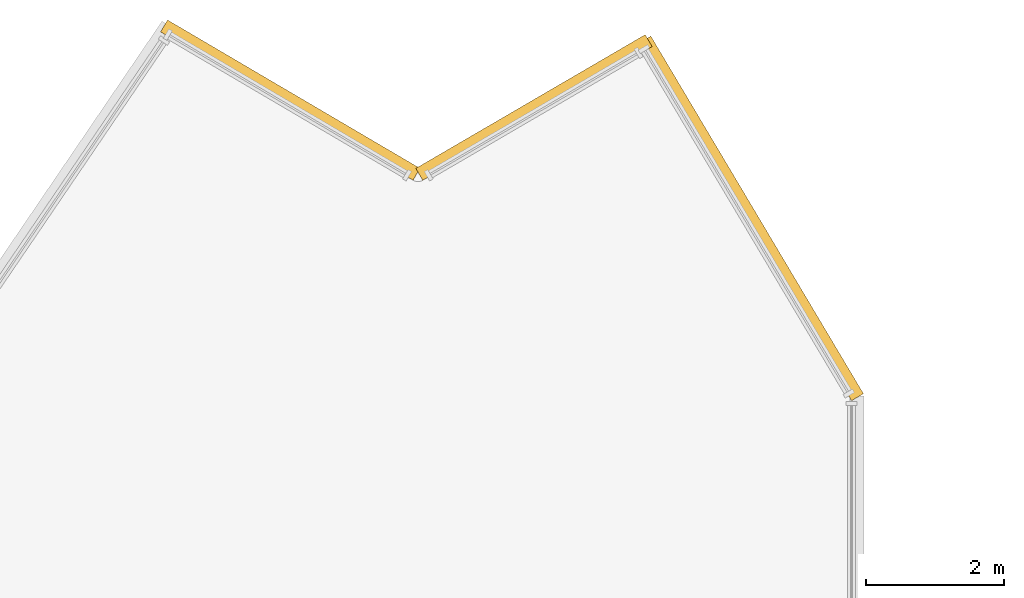
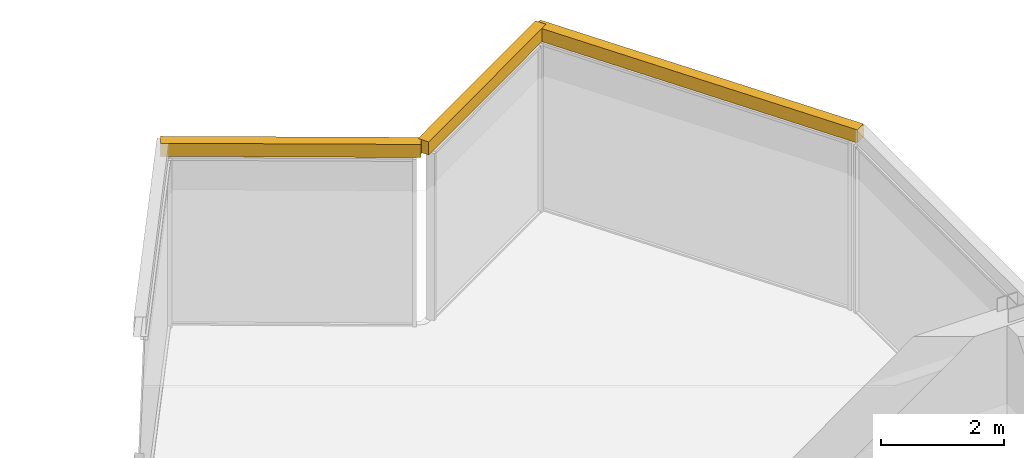
# One storey, part 14 of 15: 3 coverings.
"""IFC4 building model written with IfcOpenShell, lengths in metres."""

from ifc_helpers import new_model, si_unit, direction, frame, origin, place, context, subcontext, project, spatial, polyline, outline, extrude, material, layer, layer_set, type_object, element, save


model = new_model("IFC4")

# Units and contexts
model_context = context("Model", 3, precision=1e-05, world=origin(), true_north=direction((0.0, 1.0)))
body_context = subcontext(model_context, "Body", "Model", "MODEL_VIEW")
ifc_project = project(units=[si_unit("LENGTHUNIT", "METRE"), si_unit("AREAUNIT", "SQUARE_METRE"), si_unit("VOLUMEUNIT", "CUBIC_METRE"), si_unit("PLANEANGLEUNIT", "RADIAN"), si_unit("MASSUNIT", "GRAM", prefix="KILO")], contexts=[model_context])

# Site, building, storey
site_placement = place(None, origin())
site = spatial("IfcSite", under=ifc_project, at=site_placement, CompositionType="ELEMENT")
building_placement = place(site_placement, origin())
building = spatial("IfcBuilding", under=site, at=building_placement, Name="Savorim Split Tower", CompositionType="ELEMENT")
storey_placement = place(building_placement, frame((0.0, 0.0, 308.39990234375)))
storey = spatial("IfcBuildingStorey", under=building, at=storey_placement, Name="Crown L82 Plant", CompositionType="ELEMENT", Elevation=308.39990234375)

# Coverings
ifc_material = material(Name="Terracotta Ceramic-Coated Aluminium Fin", Category="masonry")
ifc_layer = layer(ifc_material, 0.050048828125)
ifc_layer_set = layer_set([ifc_layer], Name="COV-CLAD-TERRA")
covering_type = type_object("IfcCoveringType", Name="COV-CLAD-TERRA", PredefinedType="CLADDING", material=ifc_layer_set)
covering_1_placement = place(storey_placement, frame((0.0, 0.0, 3.340087890625)))
element("IfcCovering", 1, at=covering_1_placement, inside=storey, type_object=covering_type, Name="Crown L82 Plant Sloped Crest Eave Spandrel W2", PredefinedType="CLADDING", context=body_context, shape_type="SweptSolid", body=[
    extrude(outline(polyline([(8.1015625, 15.75439453125), (5.0234375, 20.930908203125), (4.8515625, 20.82861328125), (7.9296875, 15.652099609375), (8.1015625, 15.75439453125)])), origin(), (0.0, 0.0, 1.0), 0.260009765625),
])
covering_2_placement = place(storey_placement, frame((0.0, 0.0, 3.340087890625)))
element("IfcCovering", 2, at=covering_2_placement, inside=storey, type_object=covering_type, Name="Crown L82 Plant Sloped Crest Eave Spandrel W3", PredefinedType="CLADDING", context=body_context, shape_type="SweptSolid", body=[
    extrude(outline(polyline([(4.941650390625, 20.951904296875), (1.62109375, 19.0166015625), (1.7216796875, 18.84375), (5.04248046875, 20.779296875), (4.941650390625, 20.951904296875)])), origin(), (0.0, 0.0, 1.0), 0.260009765625),
])
covering_3_placement = place(storey_placement, frame((0.0, 0.0, 3.340087890625)))
element("IfcCovering", 3, at=covering_3_placement, inside=storey, type_object=covering_type, Name="Crown L82 Plant Sloped Crest Eave Spandrel W4", PredefinedType="CLADDING", context=body_context, shape_type="SweptSolid", body=[
    extrude(outline(polyline([(1.681640625, 19.0166015625), (-1.972900390625, 21.164306640625), (-2.07421875, 20.991943359375), (1.580322265625, 18.843994140625), (1.681640625, 19.0166015625)])), origin(), (0.0, 0.0, 1.0), 0.260009765625),
])

save(model, "model.ifc")
